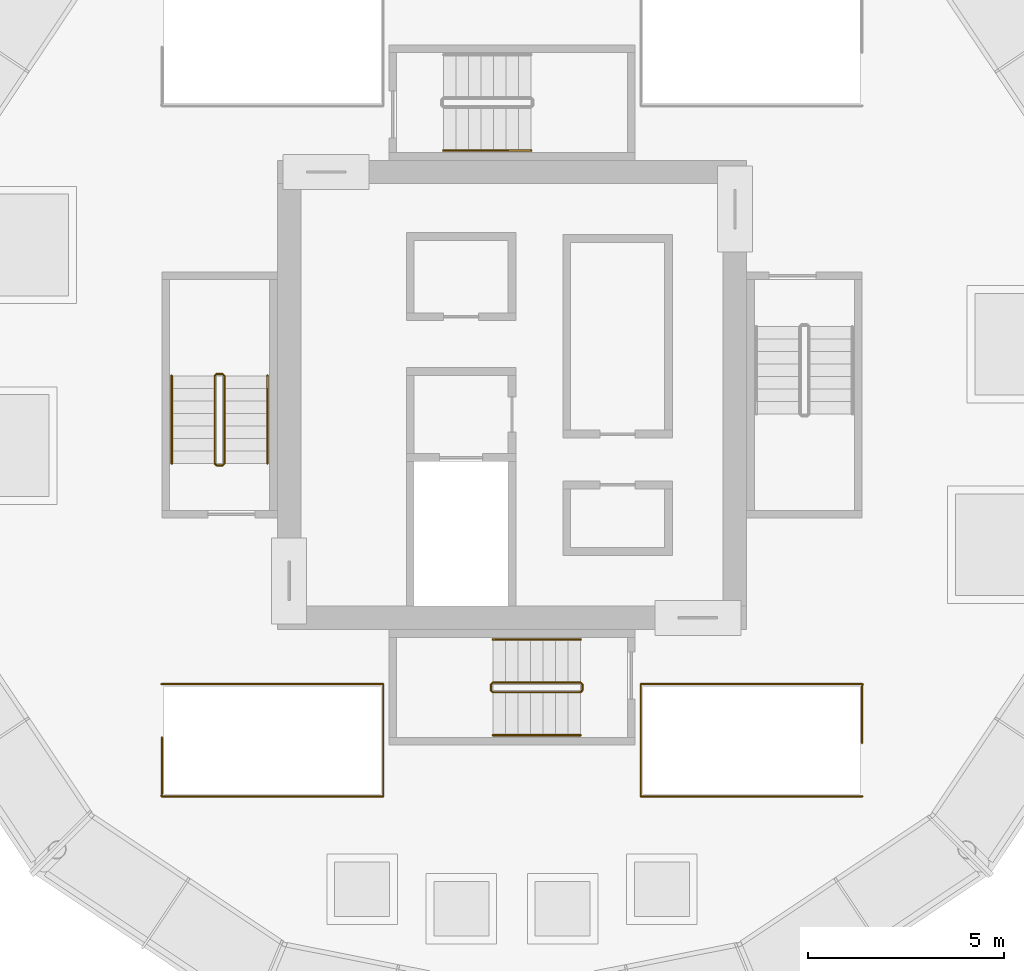
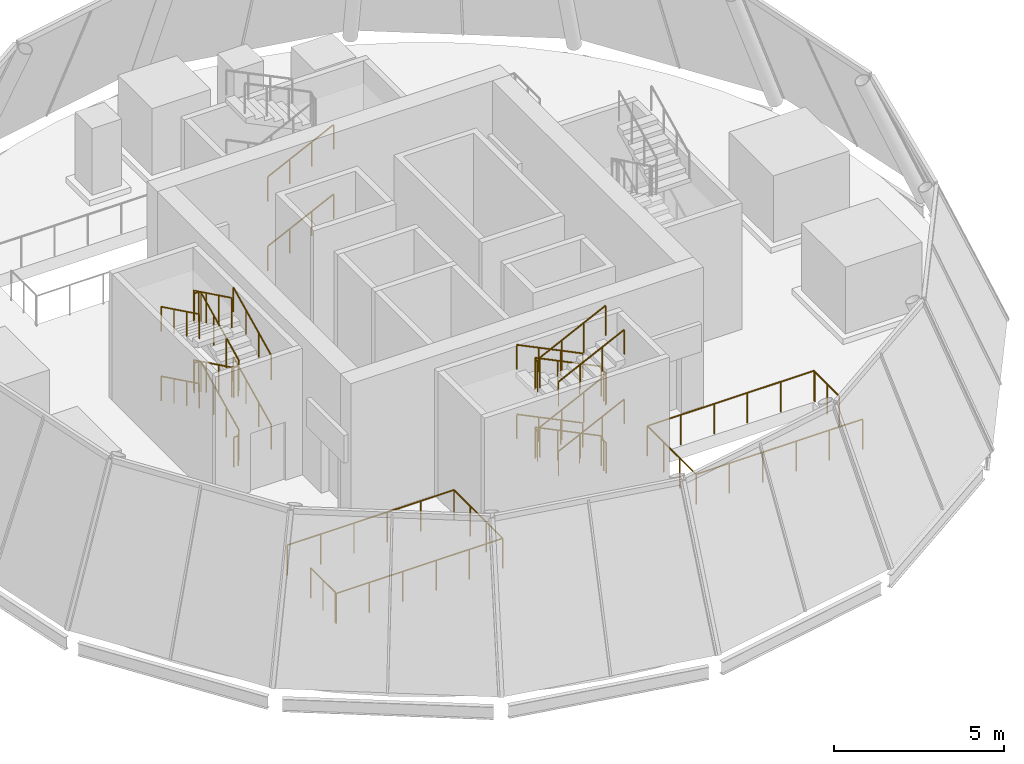
# One storey, part 6 of 8: 14 railings.
"""IFC4 building model written with IfcOpenShell, lengths in metres."""

from ifc_helpers import new_model, si_unit, direction, frame, origin, origin_2d, place, context, subcontext, project, spatial, circle, extrude, material, type_object, element, save


model = new_model("IFC4")

# Units and contexts
model_context = context("Model", 3, precision=1e-05, world=origin(), true_north=direction((0.0, 1.0)))
body_context = subcontext(model_context, "Body", "Model", "MODEL_VIEW")
ifc_project = project(units=[si_unit("LENGTHUNIT", "METRE"), si_unit("AREAUNIT", "SQUARE_METRE"), si_unit("VOLUMEUNIT", "CUBIC_METRE"), si_unit("PLANEANGLEUNIT", "RADIAN"), si_unit("MASSUNIT", "GRAM", prefix="KILO")], contexts=[model_context])

# Site, building, storey
site_placement = place(None, origin())
site = spatial("IfcSite", under=ifc_project, at=site_placement, CompositionType="ELEMENT")
building_placement = place(site_placement, origin())
building = spatial("IfcBuilding", under=site, at=building_placement, Name="Corvane Civic Tower", CompositionType="ELEMENT")
storey_placement = place(building_placement, frame((0.0, 0.0, 392.5)))
storey = spatial("IfcBuildingStorey", under=building, at=storey_placement, Name="L93", CompositionType="ELEMENT", Elevation=392.5)

# Railings
ifc_material_1 = material(Name="Steel ASTM A572 Gr 50", Category="steel")
railing_type_1 = type_object("IfcRailingType", Name="ST-GUARD-1100", PredefinedType="GUARDRAIL", material=ifc_material_1)
railing_1_placement = place(storey_placement, frame((8.949951171875, -8.89990234375, 0.0)))
element("IfcRailing", 1, at=railing_1_placement, inside=storey, type_object=railing_type_1, Name="L93 ST2 top well guard 1", PredefinedType="GUARDRAIL", context=body_context, shape_type="SweptSolid", body=[
    extrude(circle(Radius=0.02392578125, at=origin_2d()), frame((0.0, 0.0, 1.076171875), z_axis=(0.0, 1.0, 0.0), x_axis=(-1.0, 0.0, 0.0)), (0.0, 0.0, 1.0), 1.449951171875),
    extrude(circle(Radius=0.02392578125, at=origin_2d()), frame((0.0, 1.449951171875, 1.076171875), z_axis=(0.164398987305, 0.986393923832, 0.0), x_axis=(-0.986393923832, 0.164398987305, 0.0)), (0.0, 0.0, 1.0), 0.060791015625),
    extrude(circle(Radius=0.02392578125, at=origin_2d()), frame((0.010009765625, 1.510009765625, 1.076171875), z_axis=(-1.0, 0.0, 0.0), x_axis=(0.0, -1.0, 0.0)), (0.0, 0.0, 1.0), 5.669921875),
    extrude(circle(Radius=0.02392578125, at=origin_2d()), frame((-5.659912109375, 1.510009765625, 1.076171875), z_axis=(0.0, -1.0, 0.0), x_axis=(1.0, 0.0, 0.0)), (0.0, 0.0, 1.0), 2.8701171875),
    extrude(circle(Radius=0.02392578125, at=origin_2d()), frame((-5.659912109375, -1.360107421875, 1.076171875), z_axis=(1.0, 0.0, 0.0), x_axis=(0.0, 1.0, 0.0)), (0.0, 0.0, 1.0), 5.669921875),
    extrude(circle(Radius=0.02099609375, at=origin_2d()), origin(), (0.0, 0.0, 1.0), 1.052001953125),
    extrude(circle(Radius=0.02099609375, at=origin_2d()), frame((0.0, 0.72509765625, 0.0)), (0.0, 0.0, 1.0), 1.052001953125),
    extrude(circle(Radius=0.02099609375, at=origin_2d()), frame((0.0, 1.449951171875, 0.0)), (0.0, 0.0, 1.0), 1.052001953125),
    extrude(circle(Radius=0.02099609375, at=origin_2d()), frame((0.010009765625, 1.510009765625, 0.0)), (0.0, 0.0, 1.0), 1.052001953125),
    extrude(circle(Radius=0.02099609375, at=origin_2d()), frame((-1.1240234375, 1.510009765625, 0.0)), (0.0, 0.0, 1.0), 1.052001953125),
    extrude(circle(Radius=0.02099609375, at=origin_2d()), frame((-2.258056640625, 1.510009765625, 0.0)), (0.0, 0.0, 1.0), 1.052001953125),
    extrude(circle(Radius=0.02099609375, at=origin_2d()), frame((-3.391845703125, 1.510009765625, 0.0)), (0.0, 0.0, 1.0), 1.052001953125),
    extrude(circle(Radius=0.02099609375, at=origin_2d()), frame((-4.52587890625, 1.510009765625, 0.0)), (0.0, 0.0, 1.0), 1.052001953125),
    extrude(circle(Radius=0.02099609375, at=origin_2d()), frame((-5.659912109375, 1.510009765625, 0.0)), (0.0, 0.0, 1.0), 1.052001953125),
    extrude(circle(Radius=0.02099609375, at=origin_2d()), frame((-5.659912109375, 0.55322265625, 0.0)), (0.0, 0.0, 1.0), 1.052001953125),
    extrude(circle(Radius=0.02099609375, at=origin_2d()), frame((-5.659912109375, -0.4033203125, 0.0)), (0.0, 0.0, 1.0), 1.052001953125),
    extrude(circle(Radius=0.02099609375, at=origin_2d()), frame((-5.659912109375, -1.360107421875, 0.0)), (0.0, 0.0, 1.0), 1.052001953125),
    extrude(circle(Radius=0.02099609375, at=origin_2d()), frame((-4.52587890625, -1.360107421875, 0.0)), (0.0, 0.0, 1.0), 1.052001953125),
    extrude(circle(Radius=0.02099609375, at=origin_2d()), frame((-3.391845703125, -1.360107421875, 0.0)), (0.0, 0.0, 1.0), 1.052001953125),
    extrude(circle(Radius=0.02099609375, at=origin_2d()), frame((-2.258056640625, -1.360107421875, 0.0)), (0.0, 0.0, 1.0), 1.052001953125),
    extrude(circle(Radius=0.02099609375, at=origin_2d()), frame((-1.1240234375, -1.360107421875, 0.0)), (0.0, 0.0, 1.0), 1.052001953125),
    extrude(circle(Radius=0.02099609375, at=origin_2d()), frame((0.010009765625, -1.360107421875, 0.0)), (0.0, 0.0, 1.0), 1.052001953125),
])
railing_2_placement = place(storey_placement, frame((-8.949951171875, -8.75, 0.0)))
element("IfcRailing", 2, at=railing_2_placement, inside=storey, type_object=railing_type_1, Name="L93 ST3 top well guard 1", PredefinedType="GUARDRAIL", context=body_context, shape_type="SweptSolid", body=[
    extrude(circle(Radius=0.02392578125, at=origin_2d()), frame((0.0, 0.0, 1.076171875), z_axis=(0.0, -1.0, 0.0), x_axis=(1.0, 0.0, 0.0)), (0.0, 0.0, 1.0), 1.449951171875),
    extrude(circle(Radius=0.02392578125, at=origin_2d()), frame((0.0, -1.449951171875, 1.076171875), z_axis=(-0.164398987305, -0.986393923832, 0.0), x_axis=(0.986393923832, -0.164398987305, 0.0)), (0.0, 0.0, 1.0), 0.060791015625),
    extrude(circle(Radius=0.02392578125, at=origin_2d()), frame((-0.010009765625, -1.510009765625, 1.076171875), z_axis=(1.0, 0.0, 0.0), x_axis=(0.0, 1.0, 0.0)), (0.0, 0.0, 1.0), 5.669921875),
    extrude(circle(Radius=0.02392578125, at=origin_2d()), frame((5.659912109375, -1.510009765625, 1.076171875), z_axis=(0.0, 1.0, 0.0), x_axis=(-1.0, 0.0, 0.0)), (0.0, 0.0, 1.0), 2.8701171875),
    extrude(circle(Radius=0.02392578125, at=origin_2d()), frame((5.659912109375, 1.360107421875, 1.076171875), z_axis=(-1.0, 0.0, 0.0), x_axis=(0.0, -1.0, 0.0)), (0.0, 0.0, 1.0), 5.669921875),
    extrude(circle(Radius=0.02099609375, at=origin_2d()), origin(), (0.0, 0.0, 1.0), 1.052001953125),
    extrude(circle(Radius=0.02099609375, at=origin_2d()), frame((0.0, -0.72509765625, 0.0)), (0.0, 0.0, 1.0), 1.052001953125),
    extrude(circle(Radius=0.02099609375, at=origin_2d()), frame((0.0, -1.449951171875, 0.0)), (0.0, 0.0, 1.0), 1.052001953125),
    extrude(circle(Radius=0.02099609375, at=origin_2d()), frame((-0.010009765625, -1.510009765625, 0.0)), (0.0, 0.0, 1.0), 1.052001953125),
    extrude(circle(Radius=0.02099609375, at=origin_2d()), frame((1.1240234375, -1.510009765625, 0.0)), (0.0, 0.0, 1.0), 1.052001953125),
    extrude(circle(Radius=0.02099609375, at=origin_2d()), frame((2.258056640625, -1.510009765625, 0.0)), (0.0, 0.0, 1.0), 1.052001953125),
    extrude(circle(Radius=0.02099609375, at=origin_2d()), frame((3.391845703125, -1.510009765625, 0.0)), (0.0, 0.0, 1.0), 1.052001953125),
    extrude(circle(Radius=0.02099609375, at=origin_2d()), frame((4.52587890625, -1.510009765625, 0.0)), (0.0, 0.0, 1.0), 1.052001953125),
    extrude(circle(Radius=0.02099609375, at=origin_2d()), frame((5.659912109375, -1.510009765625, 0.0)), (0.0, 0.0, 1.0), 1.052001953125),
    extrude(circle(Radius=0.02099609375, at=origin_2d()), frame((5.659912109375, -0.55322265625, 0.0)), (0.0, 0.0, 1.0), 1.052001953125),
    extrude(circle(Radius=0.02099609375, at=origin_2d()), frame((5.659912109375, 0.4033203125, 0.0)), (0.0, 0.0, 1.0), 1.052001953125),
    extrude(circle(Radius=0.02099609375, at=origin_2d()), frame((5.659912109375, 1.360107421875, 0.0)), (0.0, 0.0, 1.0), 1.052001953125),
    extrude(circle(Radius=0.02099609375, at=origin_2d()), frame((4.52587890625, 1.360107421875, 0.0)), (0.0, 0.0, 1.0), 1.052001953125),
    extrude(circle(Radius=0.02099609375, at=origin_2d()), frame((3.391845703125, 1.360107421875, 0.0)), (0.0, 0.0, 1.0), 1.052001953125),
    extrude(circle(Radius=0.02099609375, at=origin_2d()), frame((2.258056640625, 1.360107421875, 0.0)), (0.0, 0.0, 1.0), 1.052001953125),
    extrude(circle(Radius=0.02099609375, at=origin_2d()), frame((1.1240234375, 1.360107421875, 0.0)), (0.0, 0.0, 1.0), 1.052001953125),
    extrude(circle(Radius=0.02099609375, at=origin_2d()), frame((-0.010009765625, 1.360107421875, 0.0)), (0.0, 0.0, 1.0), 1.052001953125),
])
railing_3_placement = place(storey_placement, frame((-7.550048828125, -1.800048828125, 0.0)))
element("IfcRailing", 3, at=railing_3_placement, inside=storey, type_object=railing_type_1, Name="L93 CS3 stair guard 1", PredefinedType="GUARDRAIL", context=body_context, shape_type="SweptSolid", body=[
    extrude(circle(Radius=0.02392578125, at=origin_2d()), frame((0.0, 0.0, 1.076171875), z_axis=(1.0, 0.0, 0.0), x_axis=(0.0, 1.0, 0.0)), (0.0, 0.0, 1.0), 0.150146484375),
    extrude(circle(Radius=0.02392578125, at=origin_2d()), frame((0.150146484375, 0.0, 1.076171875), z_axis=(0.290469530425, 0.291893400672, 0.911276958196), x_axis=(-0.708833529934, 0.705375805398, 0.0)), (0.0, 0.0, 1.0), 0.17138671875),
    extrude(circle(Radius=0.02392578125, at=origin_2d()), frame((0.199951171875, 0.050048828125, 1.232421875), z_axis=(0.0, 0.898598948553, 0.438770930737), x_axis=(-1.0, 0.0, 0.0)), (0.0, 0.0, 1.0), 2.49267578125),
    extrude(circle(Radius=0.02392578125, at=origin_2d()), frame((0.199951171875, 2.2900390625, 2.326171875), z_axis=(-0.705375805398, 0.708833529934, 0.0), x_axis=(-0.708833529934, -0.705375805398, 0.0)), (0.0, 0.0, 1.0), 0.070556640625),
    extrude(circle(Radius=0.02392578125, at=origin_2d()), frame((0.150146484375, 2.340087890625, 2.326171875), z_axis=(-1.0, 0.0, 0.0), x_axis=(0.0, -1.0, 0.0)), (0.0, 0.0, 1.0), 0.150146484375),
    extrude(circle(Radius=0.02392578125, at=origin_2d()), frame((0.0, 2.340087890625, 2.326171875), z_axis=(-0.29177245553, -0.29177245553, 0.91089937336), x_axis=(0.707106781187, -0.707106781187, 0.0)), (0.0, 0.0, 1.0), 0.171630859375),
    extrude(circle(Radius=0.02392578125, at=origin_2d()), frame((-0.050048828125, 2.2900390625, 2.482421875), z_axis=(0.0, -0.898598948553, 0.438770930737), x_axis=(1.0, 0.0, 0.0)), (0.0, 0.0, 1.0), 2.49267578125),
    extrude(circle(Radius=0.02392578125, at=origin_2d()), frame((-0.050048828125, 0.050048828125, 3.576171875), z_axis=(0.707106781187, -0.707106781187, 0.0), x_axis=(0.707106781187, 0.707106781187, 0.0)), (0.0, 0.0, 1.0), 0.07080078125),
    extrude(circle(Radius=0.02392578125, at=origin_2d()), frame((0.0, 0.0, 3.576171875), z_axis=(1.0, 0.0, 0.0), x_axis=(0.0, 1.0, 0.0)), (0.0, 0.0, 1.0), 0.150146484375),
    extrude(circle(Radius=0.02392578125, at=origin_2d()), frame((0.150146484375, 0.0, 3.576171875), z_axis=(0.290469530425, 0.291893400672, 0.911276958196), x_axis=(-0.708833529934, 0.705375805398, 0.0)), (0.0, 0.0, 1.0), 0.17138671875),
    extrude(circle(Radius=0.02392578125, at=origin_2d()), frame((0.199951171875, 0.050048828125, 3.732421875), z_axis=(0.0, 0.898598948553, 0.438770930737), x_axis=(-1.0, 0.0, 0.0)), (0.0, 0.0, 1.0), 2.49267578125),
    extrude(circle(Radius=0.02392578125, at=origin_2d()), frame((0.199951171875, 2.2900390625, 4.826171875), z_axis=(-0.705375805398, 0.708833529934, 0.0), x_axis=(-0.708833529934, -0.705375805398, 0.0)), (0.0, 0.0, 1.0), 0.070556640625),
    extrude(circle(Radius=0.02392578125, at=origin_2d()), frame((0.150146484375, 2.340087890625, 4.826171875), z_axis=(-1.0, 0.0, 0.0), x_axis=(0.0, -1.0, 0.0)), (0.0, 0.0, 1.0), 0.150146484375),
    extrude(circle(Radius=0.02392578125, at=origin_2d()), frame((0.0, 2.340087890625, 4.826171875), z_axis=(-0.29177245553, -0.29177245553, 0.91089937336), x_axis=(0.707106781187, -0.707106781187, 0.0)), (0.0, 0.0, 1.0), 0.171630859375),
    extrude(circle(Radius=0.02392578125, at=origin_2d()), frame((-0.050048828125, 2.2900390625, 4.982421875), z_axis=(0.0, -0.898598948553, 0.438770930737), x_axis=(1.0, 0.0, 0.0)), (0.0, 0.0, 1.0), 2.49267578125),
    extrude(circle(Radius=0.02099609375, at=origin_2d()), origin(), (0.0, 0.0, 1.0), 1.052001953125),
    extrude(circle(Radius=0.02099609375, at=origin_2d()), frame((0.150146484375, 0.0, 0.0)), (0.0, 0.0, 1.0), 1.052001953125),
    extrude(circle(Radius=0.02099609375, at=origin_2d()), frame((0.199951171875, 0.050048828125, 0.15625)), (0.0, 0.0, 1.0), 1.052001953125),
    extrude(circle(Radius=0.02099609375, at=origin_2d()), frame((0.199951171875, 0.796630859375, 0.520751953125)), (0.0, 0.0, 1.0), 1.052001953125),
    extrude(circle(Radius=0.02099609375, at=origin_2d()), frame((0.199951171875, 1.54345703125, 0.885498046875)), (0.0, 0.0, 1.0), 1.052001953125),
    extrude(circle(Radius=0.02099609375, at=origin_2d()), frame((0.199951171875, 2.2900390625, 1.25)), (0.0, 0.0, 1.0), 1.052001953125),
    extrude(circle(Radius=0.02099609375, at=origin_2d()), frame((0.150146484375, 2.340087890625, 1.25)), (0.0, 0.0, 1.0), 1.052001953125),
    extrude(circle(Radius=0.02099609375, at=origin_2d()), frame((0.0, 2.340087890625, 1.25)), (0.0, 0.0, 1.0), 1.052001953125),
    extrude(circle(Radius=0.02099609375, at=origin_2d()), frame((-0.050048828125, 2.2900390625, 1.40625)), (0.0, 0.0, 1.0), 1.052001953125),
    extrude(circle(Radius=0.02099609375, at=origin_2d()), frame((-0.050048828125, 1.54345703125, 1.770751953125)), (0.0, 0.0, 1.0), 1.052001953125),
    extrude(circle(Radius=0.02099609375, at=origin_2d()), frame((-0.050048828125, 0.796630859375, 2.135498046875)), (0.0, 0.0, 1.0), 1.052001953125),
    extrude(circle(Radius=0.02099609375, at=origin_2d()), frame((-0.050048828125, 0.050048828125, 2.5)), (0.0, 0.0, 1.0), 1.052001953125),
    extrude(circle(Radius=0.02099609375, at=origin_2d()), frame((0.0, 0.0, 2.5)), (0.0, 0.0, 1.0), 1.052001953125),
    extrude(circle(Radius=0.02099609375, at=origin_2d()), frame((0.150146484375, 0.0, 2.5)), (0.0, 0.0, 1.0), 1.052001953125),
    extrude(circle(Radius=0.02099609375, at=origin_2d()), frame((0.199951171875, 0.050048828125, 2.65625)), (0.0, 0.0, 1.0), 1.052001953125),
    extrude(circle(Radius=0.02099609375, at=origin_2d()), frame((0.199951171875, 0.796630859375, 3.020751953125)), (0.0, 0.0, 1.0), 1.052001953125),
    extrude(circle(Radius=0.02099609375, at=origin_2d()), frame((0.199951171875, 1.54345703125, 3.385498046875)), (0.0, 0.0, 1.0), 1.052001953125),
    extrude(circle(Radius=0.02099609375, at=origin_2d()), frame((0.199951171875, 2.2900390625, 3.75)), (0.0, 0.0, 1.0), 1.052001953125),
    extrude(circle(Radius=0.02099609375, at=origin_2d()), frame((0.150146484375, 2.340087890625, 3.75)), (0.0, 0.0, 1.0), 1.052001953125),
    extrude(circle(Radius=0.02099609375, at=origin_2d()), frame((0.0, 2.340087890625, 3.75)), (0.0, 0.0, 1.0), 1.052001953125),
    extrude(circle(Radius=0.02099609375, at=origin_2d()), frame((-0.050048828125, 2.2900390625, 3.90625)), (0.0, 0.0, 1.0), 1.052001953125),
    extrude(circle(Radius=0.02099609375, at=origin_2d()), frame((-0.050048828125, 1.54345703125, 4.270751953125)), (0.0, 0.0, 1.0), 1.052001953125),
    extrude(circle(Radius=0.02099609375, at=origin_2d()), frame((-0.050048828125, 0.796630859375, 4.635498046875)), (0.0, 0.0, 1.0), 1.052001953125),
    extrude(circle(Radius=0.02099609375, at=origin_2d()), frame((-0.050048828125, 0.050048828125, 5.0)), (0.0, 0.0, 1.0), 1.052001953125),
])
railing_4_placement = place(storey_placement, frame((1.800048828125, -7.550048828125, 0.0)))
element("IfcRailing", 4, at=railing_4_placement, inside=storey, type_object=railing_type_1, Name="L93 CS4 stair guard 1", PredefinedType="GUARDRAIL", context=body_context, shape_type="SweptSolid", body=[
    extrude(circle(Radius=0.02392578125, at=origin_2d()), frame((0.0, 0.0, 1.076171875), z_axis=(0.0, 1.0, 0.0), x_axis=(-1.0, 0.0, 0.0)), (0.0, 0.0, 1.0), 0.150146484375),
    extrude(circle(Radius=0.02392578125, at=origin_2d()), frame((0.0, 0.150146484375, 1.076171875), z_axis=(-0.291893400672, 0.290469530425, 0.911276958196), x_axis=(-0.705375805398, -0.708833529934, 0.0)), (0.0, 0.0, 1.0), 0.17138671875),
    extrude(circle(Radius=0.02392578125, at=origin_2d()), frame((-0.050048828125, 0.199951171875, 1.232421875), z_axis=(-0.898598948553, 0.0, 0.438770930737), x_axis=(0.0, -1.0, 0.0)), (0.0, 0.0, 1.0), 2.49267578125),
    extrude(circle(Radius=0.02392578125, at=origin_2d()), frame((-2.2900390625, 0.199951171875, 2.326171875), z_axis=(-0.708833529934, -0.705375805398, 0.0), x_axis=(0.705375805398, -0.708833529934, 0.0)), (0.0, 0.0, 1.0), 0.070556640625),
    extrude(circle(Radius=0.02392578125, at=origin_2d()), frame((-2.340087890625, 0.150146484375, 2.326171875), z_axis=(0.0, -1.0, 0.0), x_axis=(1.0, 0.0, 0.0)), (0.0, 0.0, 1.0), 0.150146484375),
    extrude(circle(Radius=0.02392578125, at=origin_2d()), frame((-2.340087890625, 0.0, 2.326171875), z_axis=(0.29177245553, -0.29177245553, 0.91089937336), x_axis=(0.707106781187, 0.707106781187, 0.0)), (0.0, 0.0, 1.0), 0.171630859375),
    extrude(circle(Radius=0.02392578125, at=origin_2d()), frame((-2.2900390625, -0.050048828125, 2.482421875), z_axis=(0.898598948553, 0.0, 0.438770930737), x_axis=(0.0, 1.0, 0.0)), (0.0, 0.0, 1.0), 2.49267578125),
    extrude(circle(Radius=0.02392578125, at=origin_2d()), frame((-0.050048828125, -0.050048828125, 3.576171875), z_axis=(0.707106781187, 0.707106781187, 0.0), x_axis=(-0.707106781187, 0.707106781187, 0.0)), (0.0, 0.0, 1.0), 0.07080078125),
    extrude(circle(Radius=0.02392578125, at=origin_2d()), frame((0.0, 0.0, 3.576171875), z_axis=(0.0, 1.0, 0.0), x_axis=(-1.0, 0.0, 0.0)), (0.0, 0.0, 1.0), 0.150146484375),
    extrude(circle(Radius=0.02392578125, at=origin_2d()), frame((0.0, 0.150146484375, 3.576171875), z_axis=(-0.291893400672, 0.290469530425, 0.911276958196), x_axis=(-0.705375805398, -0.708833529934, 0.0)), (0.0, 0.0, 1.0), 0.17138671875),
    extrude(circle(Radius=0.02392578125, at=origin_2d()), frame((-0.050048828125, 0.199951171875, 3.732421875), z_axis=(-0.898598948553, 0.0, 0.438770930737), x_axis=(0.0, -1.0, 0.0)), (0.0, 0.0, 1.0), 2.49267578125),
    extrude(circle(Radius=0.02392578125, at=origin_2d()), frame((-2.2900390625, 0.199951171875, 4.826171875), z_axis=(-0.708833529934, -0.705375805398, 0.0), x_axis=(0.705375805398, -0.708833529934, 0.0)), (0.0, 0.0, 1.0), 0.070556640625),
    extrude(circle(Radius=0.02392578125, at=origin_2d()), frame((-2.340087890625, 0.150146484375, 4.826171875), z_axis=(0.0, -1.0, 0.0), x_axis=(1.0, 0.0, 0.0)), (0.0, 0.0, 1.0), 0.150146484375),
    extrude(circle(Radius=0.02392578125, at=origin_2d()), frame((-2.340087890625, 0.0, 4.826171875), z_axis=(0.29177245553, -0.29177245553, 0.91089937336), x_axis=(0.707106781187, 0.707106781187, 0.0)), (0.0, 0.0, 1.0), 0.171630859375),
    extrude(circle(Radius=0.02392578125, at=origin_2d()), frame((-2.2900390625, -0.050048828125, 4.982421875), z_axis=(0.898598948553, 0.0, 0.438770930737), x_axis=(0.0, 1.0, 0.0)), (0.0, 0.0, 1.0), 2.49267578125),
    extrude(circle(Radius=0.02099609375, at=origin_2d()), origin(), (0.0, 0.0, 1.0), 1.052001953125),
    extrude(circle(Radius=0.02099609375, at=origin_2d()), frame((0.0, 0.150146484375, 0.0)), (0.0, 0.0, 1.0), 1.052001953125),
    extrude(circle(Radius=0.02099609375, at=origin_2d()), frame((-0.050048828125, 0.199951171875, 0.15625)), (0.0, 0.0, 1.0), 1.052001953125),
    extrude(circle(Radius=0.02099609375, at=origin_2d()), frame((-0.796630859375, 0.199951171875, 0.520751953125)), (0.0, 0.0, 1.0), 1.052001953125),
    extrude(circle(Radius=0.02099609375, at=origin_2d()), frame((-1.54345703125, 0.199951171875, 0.885498046875)), (0.0, 0.0, 1.0), 1.052001953125),
    extrude(circle(Radius=0.02099609375, at=origin_2d()), frame((-2.2900390625, 0.199951171875, 1.25)), (0.0, 0.0, 1.0), 1.052001953125),
    extrude(circle(Radius=0.02099609375, at=origin_2d()), frame((-2.340087890625, 0.150146484375, 1.25)), (0.0, 0.0, 1.0), 1.052001953125),
    extrude(circle(Radius=0.02099609375, at=origin_2d()), frame((-2.340087890625, 0.0, 1.25)), (0.0, 0.0, 1.0), 1.052001953125),
    extrude(circle(Radius=0.02099609375, at=origin_2d()), frame((-2.2900390625, -0.050048828125, 1.40625)), (0.0, 0.0, 1.0), 1.052001953125),
    extrude(circle(Radius=0.02099609375, at=origin_2d()), frame((-1.54345703125, -0.050048828125, 1.770751953125)), (0.0, 0.0, 1.0), 1.052001953125),
    extrude(circle(Radius=0.02099609375, at=origin_2d()), frame((-0.796630859375, -0.050048828125, 2.135498046875)), (0.0, 0.0, 1.0), 1.052001953125),
    extrude(circle(Radius=0.02099609375, at=origin_2d()), frame((-0.050048828125, -0.050048828125, 2.5)), (0.0, 0.0, 1.0), 1.052001953125),
    extrude(circle(Radius=0.02099609375, at=origin_2d()), frame((0.0, 0.0, 2.5)), (0.0, 0.0, 1.0), 1.052001953125),
    extrude(circle(Radius=0.02099609375, at=origin_2d()), frame((0.0, 0.150146484375, 2.5)), (0.0, 0.0, 1.0), 1.052001953125),
    extrude(circle(Radius=0.02099609375, at=origin_2d()), frame((-0.050048828125, 0.199951171875, 2.65625)), (0.0, 0.0, 1.0), 1.052001953125),
    extrude(circle(Radius=0.02099609375, at=origin_2d()), frame((-0.796630859375, 0.199951171875, 3.020751953125)), (0.0, 0.0, 1.0), 1.052001953125),
    extrude(circle(Radius=0.02099609375, at=origin_2d()), frame((-1.54345703125, 0.199951171875, 3.385498046875)), (0.0, 0.0, 1.0), 1.052001953125),
    extrude(circle(Radius=0.02099609375, at=origin_2d()), frame((-2.2900390625, 0.199951171875, 3.75)), (0.0, 0.0, 1.0), 1.052001953125),
    extrude(circle(Radius=0.02099609375, at=origin_2d()), frame((-2.340087890625, 0.150146484375, 3.75)), (0.0, 0.0, 1.0), 1.052001953125),
    extrude(circle(Radius=0.02099609375, at=origin_2d()), frame((-2.340087890625, 0.0, 3.75)), (0.0, 0.0, 1.0), 1.052001953125),
    extrude(circle(Radius=0.02099609375, at=origin_2d()), frame((-2.2900390625, -0.050048828125, 3.90625)), (0.0, 0.0, 1.0), 1.052001953125),
    extrude(circle(Radius=0.02099609375, at=origin_2d()), frame((-1.54345703125, -0.050048828125, 4.270751953125)), (0.0, 0.0, 1.0), 1.052001953125),
    extrude(circle(Radius=0.02099609375, at=origin_2d()), frame((-0.796630859375, -0.050048828125, 4.635498046875)), (0.0, 0.0, 1.0), 1.052001953125),
    extrude(circle(Radius=0.02099609375, at=origin_2d()), frame((-0.050048828125, -0.050048828125, 5.0)), (0.0, 0.0, 1.0), 1.052001953125),
])
ifc_material_2 = material(Name="Steel ASTM A572 Gr 50", Category="steel")
railing_type_2 = type_object("IfcRailingType", Name="ST-HANDRAIL-900", PredefinedType="HANDRAIL", material=ifc_material_2)
for number, where, name in (
    (5, (-1.75, 6.25, 0.15625), "L93 CS2 stair handrail 1"),
    (6, (-1.75, 6.25, 2.65625), "L93 CS2 stair handrail 3"),
):
    element("IfcRailing", number, at=place(storey_placement, frame(where)), inside=storey, type_object=railing_type_2, Name=name, PredefinedType="HANDRAIL", context=body_context, shape_type="SweptSolid", body=[
        extrude(circle(Radius=0.02392578125, at=origin_2d()), frame((0.0, 0.0, 0.8759765625), z_axis=(0.898598948553, 0.0, 0.438770930737), x_axis=(0.0, 1.0, 0.0)), (0.0, 0.0, 1.0), 2.49267578125),
        extrude(circle(Radius=0.02099609375, at=origin_2d()), origin(), (0.0, 0.0, 1.0), 0.851806640625),
        extrude(circle(Radius=0.02099609375, at=origin_2d()), frame((0.74658203125, 0.0, 0.364501953125)), (0.0, 0.0, 1.0), 0.851806640625),
        extrude(circle(Radius=0.02099609375, at=origin_2d()), frame((1.493408203125, 0.0, 0.729248046875)), (0.0, 0.0, 1.0), 0.851806640625),
        extrude(circle(Radius=0.02099609375, at=origin_2d()), frame((2.239990234375, 0.0, 1.09375)), (0.0, 0.0, 1.0), 0.851806640625),
    ])
railing_5_placement = place(storey_placement, frame((-6.25, -1.75, 0.15625)))
element("IfcRailing", 7, at=railing_5_placement, inside=storey, type_object=railing_type_2, Name="L93 CS3 stair handrail 1", PredefinedType="HANDRAIL", context=body_context, shape_type="SweptSolid", body=[
    extrude(circle(Radius=0.02392578125, at=origin_2d()), frame((0.0, 0.0, 0.8759765625), z_axis=(0.0, 0.898598948553, 0.438770930737), x_axis=(-1.0, 0.0, 0.0)), (0.0, 0.0, 1.0), 2.49267578125),
    extrude(circle(Radius=0.02099609375, at=origin_2d()), origin(), (0.0, 0.0, 1.0), 0.851806640625),
    extrude(circle(Radius=0.02099609375, at=origin_2d()), frame((0.0, 0.74658203125, 0.364501953125)), (0.0, 0.0, 1.0), 0.851806640625),
    extrude(circle(Radius=0.02099609375, at=origin_2d()), frame((0.0, 1.493408203125, 0.729248046875)), (0.0, 0.0, 1.0), 0.851806640625),
    extrude(circle(Radius=0.02099609375, at=origin_2d()), frame((0.0, 2.239990234375, 1.09375)), (0.0, 0.0, 1.0), 0.851806640625),
])
railing_6_placement = place(storey_placement, frame((-8.699951171875, 0.489990234375, 1.40625)))
element("IfcRailing", 8, at=railing_6_placement, inside=storey, type_object=railing_type_2, Name="L93 CS3 stair handrail 2", PredefinedType="HANDRAIL", context=body_context, shape_type="SweptSolid", body=[
    extrude(circle(Radius=0.02392578125, at=origin_2d()), frame((0.0, 0.0, 0.8759765625), z_axis=(0.0, -0.898598948553, 0.438770930737), x_axis=(1.0, 0.0, 0.0)), (0.0, 0.0, 1.0), 2.49267578125),
    extrude(circle(Radius=0.02099609375, at=origin_2d()), origin(), (0.0, 0.0, 1.0), 0.851806640625),
    extrude(circle(Radius=0.02099609375, at=origin_2d()), frame((0.0, -0.74658203125, 0.364501953125)), (0.0, 0.0, 1.0), 0.851806640625),
    extrude(circle(Radius=0.02099609375, at=origin_2d()), frame((0.0, -1.493408203125, 0.729248046875)), (0.0, 0.0, 1.0), 0.851806640625),
    extrude(circle(Radius=0.02099609375, at=origin_2d()), frame((0.0, -2.239990234375, 1.09375)), (0.0, 0.0, 1.0), 0.851806640625),
])
railing_7_placement = place(storey_placement, frame((-6.25, -1.75, 2.65625)))
element("IfcRailing", 9, at=railing_7_placement, inside=storey, type_object=railing_type_2, Name="L93 CS3 stair handrail 3", PredefinedType="HANDRAIL", context=body_context, shape_type="SweptSolid", body=[
    extrude(circle(Radius=0.02392578125, at=origin_2d()), frame((0.0, 0.0, 0.8759765625), z_axis=(0.0, 0.898598948553, 0.438770930737), x_axis=(-1.0, 0.0, 0.0)), (0.0, 0.0, 1.0), 2.49267578125),
    extrude(circle(Radius=0.02099609375, at=origin_2d()), origin(), (0.0, 0.0, 1.0), 0.851806640625),
    extrude(circle(Radius=0.02099609375, at=origin_2d()), frame((0.0, 0.74658203125, 0.364501953125)), (0.0, 0.0, 1.0), 0.851806640625),
    extrude(circle(Radius=0.02099609375, at=origin_2d()), frame((0.0, 1.493408203125, 0.729248046875)), (0.0, 0.0, 1.0), 0.851806640625),
    extrude(circle(Radius=0.02099609375, at=origin_2d()), frame((0.0, 2.239990234375, 1.09375)), (0.0, 0.0, 1.0), 0.851806640625),
])
railing_8_placement = place(storey_placement, frame((-8.699951171875, 0.489990234375, 3.90625)))
element("IfcRailing", 10, at=railing_8_placement, inside=storey, type_object=railing_type_2, Name="L93 CS3 stair handrail 4", PredefinedType="HANDRAIL", context=body_context, shape_type="SweptSolid", body=[
    extrude(circle(Radius=0.02392578125, at=origin_2d()), frame((0.0, 0.0, 0.8759765625), z_axis=(0.0, -0.898598948553, 0.438770930737), x_axis=(1.0, 0.0, 0.0)), (0.0, 0.0, 1.0), 2.49267578125),
    extrude(circle(Radius=0.02099609375, at=origin_2d()), origin(), (0.0, 0.0, 1.0), 0.851806640625),
    extrude(circle(Radius=0.02099609375, at=origin_2d()), frame((0.0, -0.74658203125, 0.364501953125)), (0.0, 0.0, 1.0), 0.851806640625),
    extrude(circle(Radius=0.02099609375, at=origin_2d()), frame((0.0, -1.493408203125, 0.729248046875)), (0.0, 0.0, 1.0), 0.851806640625),
    extrude(circle(Radius=0.02099609375, at=origin_2d()), frame((0.0, -2.239990234375, 1.09375)), (0.0, 0.0, 1.0), 0.851806640625),
])
railing_9_placement = place(storey_placement, frame((1.75, -6.25, 0.15625)))
element("IfcRailing", 11, at=railing_9_placement, inside=storey, type_object=railing_type_2, Name="L93 CS4 stair handrail 1", PredefinedType="HANDRAIL", context=body_context, shape_type="SweptSolid", body=[
    extrude(circle(Radius=0.02392578125, at=origin_2d()), frame((0.0, 0.0, 0.8759765625), z_axis=(-0.898598948553, 0.0, 0.438770930737), x_axis=(0.0, -1.0, 0.0)), (0.0, 0.0, 1.0), 2.49267578125),
    extrude(circle(Radius=0.02099609375, at=origin_2d()), origin(), (0.0, 0.0, 1.0), 0.851806640625),
    extrude(circle(Radius=0.02099609375, at=origin_2d()), frame((-0.74658203125, 0.0, 0.364501953125)), (0.0, 0.0, 1.0), 0.851806640625),
    extrude(circle(Radius=0.02099609375, at=origin_2d()), frame((-1.493408203125, 0.0, 0.729248046875)), (0.0, 0.0, 1.0), 0.851806640625),
    extrude(circle(Radius=0.02099609375, at=origin_2d()), frame((-2.239990234375, 0.0, 1.09375)), (0.0, 0.0, 1.0), 0.851806640625),
])
railing_10_placement = place(storey_placement, frame((-0.489990234375, -8.699951171875, 1.40625)))
element("IfcRailing", 12, at=railing_10_placement, inside=storey, type_object=railing_type_2, Name="L93 CS4 stair handrail 2", PredefinedType="HANDRAIL", context=body_context, shape_type="SweptSolid", body=[
    extrude(circle(Radius=0.02392578125, at=origin_2d()), frame((0.0, 0.0, 0.8759765625), z_axis=(0.898598948553, 0.0, 0.438770930737), x_axis=(0.0, 1.0, 0.0)), (0.0, 0.0, 1.0), 2.49267578125),
    extrude(circle(Radius=0.02099609375, at=origin_2d()), origin(), (0.0, 0.0, 1.0), 0.851806640625),
    extrude(circle(Radius=0.02099609375, at=origin_2d()), frame((0.74658203125, 0.0, 0.364501953125)), (0.0, 0.0, 1.0), 0.851806640625),
    extrude(circle(Radius=0.02099609375, at=origin_2d()), frame((1.493408203125, 0.0, 0.729248046875)), (0.0, 0.0, 1.0), 0.851806640625),
    extrude(circle(Radius=0.02099609375, at=origin_2d()), frame((2.239990234375, 0.0, 1.09375)), (0.0, 0.0, 1.0), 0.851806640625),
])
railing_11_placement = place(storey_placement, frame((1.75, -6.25, 2.65625)))
element("IfcRailing", 13, at=railing_11_placement, inside=storey, type_object=railing_type_2, Name="L93 CS4 stair handrail 3", PredefinedType="HANDRAIL", context=body_context, shape_type="SweptSolid", body=[
    extrude(circle(Radius=0.02392578125, at=origin_2d()), frame((0.0, 0.0, 0.8759765625), z_axis=(-0.898598948553, 0.0, 0.438770930737), x_axis=(0.0, -1.0, 0.0)), (0.0, 0.0, 1.0), 2.49267578125),
    extrude(circle(Radius=0.02099609375, at=origin_2d()), origin(), (0.0, 0.0, 1.0), 0.851806640625),
    extrude(circle(Radius=0.02099609375, at=origin_2d()), frame((-0.74658203125, 0.0, 0.364501953125)), (0.0, 0.0, 1.0), 0.851806640625),
    extrude(circle(Radius=0.02099609375, at=origin_2d()), frame((-1.493408203125, 0.0, 0.729248046875)), (0.0, 0.0, 1.0), 0.851806640625),
    extrude(circle(Radius=0.02099609375, at=origin_2d()), frame((-2.239990234375, 0.0, 1.09375)), (0.0, 0.0, 1.0), 0.851806640625),
])
railing_12_placement = place(storey_placement, frame((-0.489990234375, -8.699951171875, 3.90625)))
element("IfcRailing", 14, at=railing_12_placement, inside=storey, type_object=railing_type_2, Name="L93 CS4 stair handrail 4", PredefinedType="HANDRAIL", context=body_context, shape_type="SweptSolid", body=[
    extrude(circle(Radius=0.02392578125, at=origin_2d()), frame((0.0, 0.0, 0.8759765625), z_axis=(0.898598948553, 0.0, 0.438770930737), x_axis=(0.0, 1.0, 0.0)), (0.0, 0.0, 1.0), 2.49267578125),
    extrude(circle(Radius=0.02099609375, at=origin_2d()), origin(), (0.0, 0.0, 1.0), 0.851806640625),
    extrude(circle(Radius=0.02099609375, at=origin_2d()), frame((0.74658203125, 0.0, 0.364501953125)), (0.0, 0.0, 1.0), 0.851806640625),
    extrude(circle(Radius=0.02099609375, at=origin_2d()), frame((1.493408203125, 0.0, 0.729248046875)), (0.0, 0.0, 1.0), 0.851806640625),
    extrude(circle(Radius=0.02099609375, at=origin_2d()), frame((2.239990234375, 0.0, 1.09375)), (0.0, 0.0, 1.0), 0.851806640625),
])

save(model, "model.ifc")
